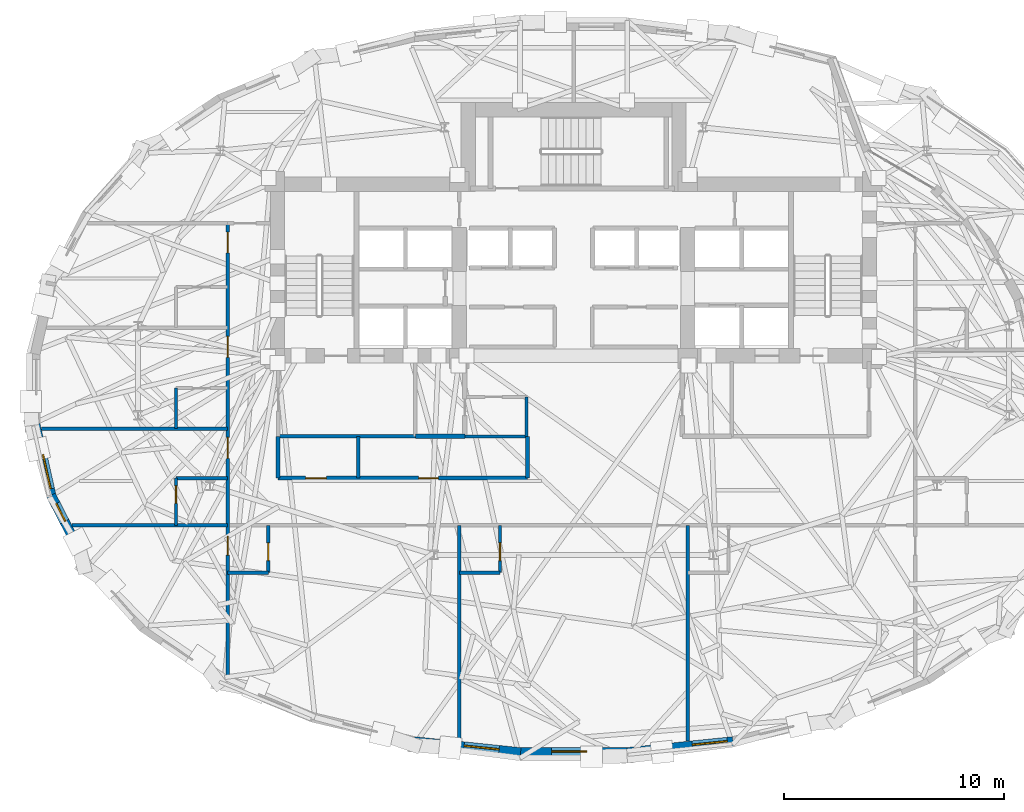
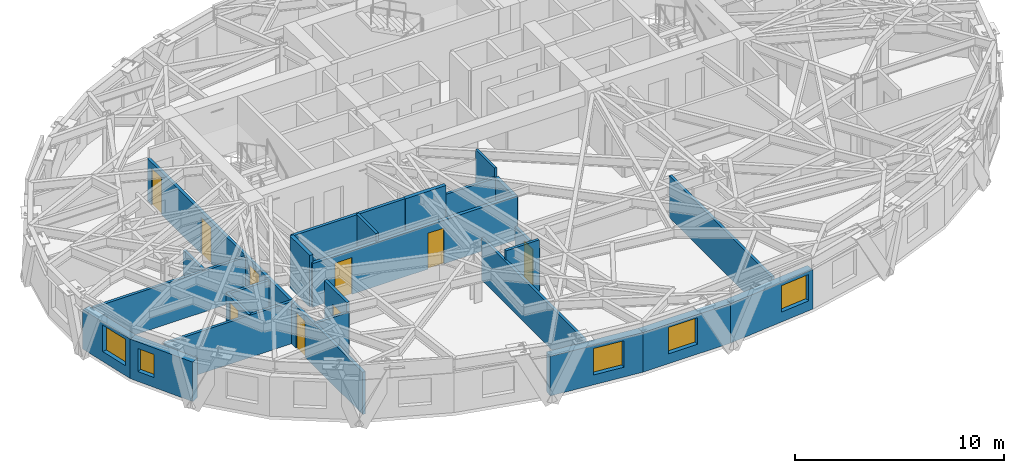
# One storey, part 7 of 15: 25 walls, 9 doors, 5 windows, 14 openings.
"""IFC4 building model written with IfcOpenShell, lengths in metres."""

from ifc_helpers import new_model, si_unit, direction, frame, frame_2d, origin, place, context, subcontext, project, spatial, rectangle, extrude, material, layer, layer_set, type_object, element, fill, save


model = new_model("IFC4")

# Units and contexts
model_context = context("Model", 3, precision=1e-05, world=origin(), true_north=direction((0.0, 1.0)))
body_context = subcontext(model_context, "Body", "Model", "MODEL_VIEW")
ifc_project = project(units=[si_unit("LENGTHUNIT", "METRE"), si_unit("AREAUNIT", "SQUARE_METRE"), si_unit("VOLUMEUNIT", "CUBIC_METRE"), si_unit("PLANEANGLEUNIT", "RADIAN"), si_unit("MASSUNIT", "GRAM", prefix="KILO")], contexts=[model_context])

# Site, building, storey
site_placement = place(None, origin())
site = spatial("IfcSite", under=ifc_project, at=site_placement, CompositionType="ELEMENT")
building_placement = place(site_placement, origin())
building = spatial("IfcBuilding", under=site, at=building_placement, Name="Keldmark Tower", CompositionType="ELEMENT")
storey_placement = place(building_placement, frame((0.0, 0.0, 156.60009765625)))
storey = spatial("IfcBuildingStorey", under=building, at=storey_placement, Name="L42", CompositionType="ELEMENT", Elevation=156.60009765625)

# Wall, openings, doors
ifc_material_1 = material(Name="Heavy Acoustic Plumbing Chase Gypsum Assembly", Category="gypsum")
ifc_layer_1 = layer(ifc_material_1, 0.18994140625)
ifc_layer_set_1 = layer_set([ifc_layer_1], Name="Heavy Acoustic Plumbing Chase Gypsum Assembly")
wall_type_1 = type_object("IfcWallType", Name="Heavy Wet Wall 190 mm", PredefinedType="PLUMBINGWALL", material=ifc_layer_set_1)
wall_1_placement = place(storey_placement, frame((-13.449951171875, -4.050048828125, 0.0), z_axis=(0.0, 0.0, 1.0), x_axis=(1.0, 0.0, 0.0)))
wall_1 = element("IfcWall", 1, at=wall_1_placement, inside=storey, type_object=wall_type_1, Name="L42 Heavy Wet Wall 190 mm SPK-W-S", PredefinedType="PLUMBINGWALL", context=body_context, shape_type="SweptSolid", body=[
    extrude(rectangle(XDim=11.349853515625, YDim=0.18994140625, at=frame_2d((5.6748046875, 0.0))), origin(), (0.0, 0.0, 1.0), 2.554931640625),
])
opening_1_placement = place(wall_1_placement, frame((1.25, 0.0, 0.0)))
opening_1 = element("IfcOpeningElement", 2, at=opening_1_placement, cuts=wall_1, Name="Opening D-AWC95", PredefinedType="OPENING", context=body_context, shape_type="SweptSolid", body=[
    extrude(rectangle(XDim=0.949951171875, YDim=2.14990234375, at=frame_2d((0.47509765625, 1.074951171875))), frame((0.0, 0.10498046875, 0.0), z_axis=(0.0, -1.0, 0.0), x_axis=(1.0, 0.0, 0.0)), (0.0, 0.0, 1.0), 0.2099609375),
])
opening_2_placement = place(wall_1_placement, frame((6.39990234375, 0.0, 0.0)))
opening_2 = element("IfcOpeningElement", 3, at=opening_2_placement, cuts=wall_1, Name="Opening D-IN090", PredefinedType="OPENING", context=body_context, shape_type="SweptSolid", body=[
    extrude(rectangle(XDim=0.89990234375, YDim=2.10009765625, at=frame_2d((0.449951171875, 1.050048828125))), frame((0.0, 0.10498046875, 0.0), z_axis=(0.0, -1.0, 0.0), x_axis=(1.0, 0.0, 0.0)), (0.0, 0.0, 1.0), 0.2099609375),
])
ifc_material_2 = material(Name="Painted Solid-Core Architectural Wood", Category="wood")
door_type_1 = type_object("IfcDoorType", Name="Accessible WC Door 950x2150", OperationType="NOTDEFINED", PredefinedType="DOOR", material=ifc_material_2)
door_1_placement = place(opening_1_placement, origin())
door_1 = element("IfcDoor", 4, at=door_1_placement, inside=storey, type_object=door_type_1, Name="L42 Accessible WC Door 950x2150 D-SPKW1-L42", OperationType="SINGLE_SWING_RIGHT", OverallHeight=2.14990234375, OverallWidth=0.949951171875, PredefinedType="DOOR", context=body_context, shape_type="SweptSolid", body=[
    extrude(rectangle(XDim=0.949951171875, YDim=2.14990234375, at=frame_2d((0.47509765625, 1.074951171875))), frame((0.0, 0.02490234375, 0.0), z_axis=(0.0, -1.0, 0.0), x_axis=(1.0, 0.0, 0.0)), (0.0, 0.0, 1.0), 0.050048828125),
])
fill(opening_1, door_1)
ifc_material_3 = material(Name="Stained American White Oak Veneer", Category="wood")
door_type_2 = type_object("IfcDoorType", Name="Interior Door 900x2100", OperationType="NOTDEFINED", PredefinedType="DOOR", material=ifc_material_3)
door_2_placement = place(opening_2_placement, origin())
door_2 = element("IfcDoor", 5, at=door_2_placement, inside=storey, type_object=door_type_2, Name="L42 Interior Door 900x2100 D-SPKW2-L42", OperationType="SINGLE_SWING_RIGHT", OverallHeight=2.10009765625, OverallWidth=0.89990234375, PredefinedType="DOOR", context=body_context, shape_type="SweptSolid", body=[
    extrude(rectangle(XDim=0.89990234375, YDim=2.10009765625, at=frame_2d((0.449951171875, 1.050048828125))), frame((0.0, 0.02490234375, 0.0), z_axis=(0.0, -1.0, 0.0), x_axis=(1.0, 0.0, 0.0)), (0.0, 0.0, 1.0), 0.050048828125),
])
fill(opening_2, door_2)

# Walls
wall_2_placement = place(storey_placement, frame((-13.449951171875, -4.050048828125, 0.0), z_axis=(0.0, 0.0, 1.0), x_axis=(0.0, 1.0, 0.0)))
element("IfcWall", 6, at=wall_2_placement, inside=storey, type_object=wall_type_1, Name="L42 Heavy Wet Wall 190 mm SPK-W-W", PredefinedType="PLUMBINGWALL", context=body_context, shape_type="SweptSolid", body=[
    extrude(rectangle(XDim=1.900146484375, YDim=0.18994140625, at=frame_2d((0.9501953125, 0.0))), origin(), (0.0, 0.0, 1.0), 3.02001953125),
])
wall_3_placement = place(storey_placement, frame((-2.10009765625, -4.050048828125, 0.0), z_axis=(0.0, 0.0, 1.0), x_axis=(0.0, 1.0, 0.0)))
element("IfcWall", 7, at=wall_3_placement, inside=storey, type_object=wall_type_1, Name="L42 Heavy Wet Wall 190 mm SPK-W-E", PredefinedType="PLUMBINGWALL", context=body_context, shape_type="SweptSolid", body=[
    extrude(rectangle(XDim=1.900146484375, YDim=0.18994140625, at=frame_2d((0.9501953125, 0.0))), origin(), (0.0, 0.0, 1.0), 2.472900390625),
])
ifc_material_4 = material(Name="Acoustic Gypsum Board Interior Partition", Category="gypsum")
ifc_layer_2 = layer(ifc_material_4, 0.1298828125)
ifc_layer_set_2 = layer_set([ifc_layer_2], Name="Acoustic Gypsum Board Interior Partition")
wall_type_2 = type_object("IfcWallType", Name="Interior Partition 130 mm", PredefinedType="PARTITIONING", material=ifc_layer_set_2)
wall_4_placement = place(storey_placement, frame((-2.14990234375, -2.14990234375, 0.0), z_axis=(0.0, 0.0, 1.0), x_axis=(0.0, 1.0, 0.0)))
element("IfcWall", 8, at=wall_4_placement, inside=storey, type_object=wall_type_2, Name="L42 Interior Partition 130 mm CSC-W-E", PredefinedType="PARTITIONING", context=body_context, shape_type="SweptSolid", body=[
    extrude(rectangle(XDim=1.7998046875, YDim=0.1298828125, at=frame_2d((0.89990234375, 0.0))), origin(), (0.0, 0.0, 1.0), 3.02001953125),
])
ifc_material_5 = material(Name="Type X Fire-Rated Gypsum Partition Assembly", Category="gypsum")
ifc_layer_3 = layer(ifc_material_5, 0.1650390625)
ifc_layer_set_3 = layer_set([ifc_layer_3], Name="Type X Fire-Rated Gypsum Partition Assembly")
wall_type_3 = type_object("IfcWallType", Name="Rated Partition 165 mm", PredefinedType="PARTITIONING", material=ifc_layer_set_3)
wall_5_placement = place(storey_placement, frame((-13.449951171875, -2.14990234375, 0.0), z_axis=(0.0, 0.0, 1.0), x_axis=(1.0, 0.0, 0.0)))
element("IfcWall", 9, at=wall_5_placement, inside=storey, type_object=wall_type_3, Name="L42 Rated Partition 165 mm FSAE-W-S", PredefinedType="PARTITIONING", context=body_context, shape_type="SweptSolid", body=[
    extrude(rectangle(XDim=6.25, YDim=0.1650390625, at=frame_2d((3.125, 0.0))), origin(), (0.0, 0.0, 1.0), 3.02001953125),
])

# Wall, openings, doors
wall_6_placement = place(storey_placement, frame((-15.75, -13.1083984375, 0.0), z_axis=(0.0, 0.0, 1.0), x_axis=(0.0, 1.0, 0.0)))
wall_6 = element("IfcWall", 10, at=wall_6_placement, inside=storey, type_object=wall_type_3, Name="L42 Rated Partition 165 mm HCOR-W", PredefinedType="PARTITIONING", context=body_context, shape_type="SweptSolid", body=[
    extrude(rectangle(XDim=20.658447265625, YDim=0.1650390625, at=frame_2d((10.3291015625, 0.0))), origin(), (0.0, 0.0, 1.0), 2.472900390625),
])
opening_3_placement = place(wall_6_placement, frame((5.558837890625, 0.0, 0.0)))
opening_3 = element("IfcOpeningElement", 11, at=opening_3_placement, cuts=wall_6, Name="Opening D-IN085", PredefinedType="OPENING", context=body_context, shape_type="SweptSolid", body=[
    extrude(rectangle(XDim=0.85009765625, YDim=2.10009765625, at=frame_2d((0.425048828125, 1.050048828125))), frame((0.0, 0.092529296875, 0.0), z_axis=(0.0, -1.0, 0.0), x_axis=(1.0, 0.0, 0.0)), (0.0, 0.0, 1.0), 0.18505859375),
])
opening_4_placement = place(wall_6_placement, frame((9.958984375, 0.0, 0.0)))
opening_4 = element("IfcOpeningElement", 12, at=opening_4_placement, cuts=wall_6, Name="Opening D-HT095", PredefinedType="OPENING", context=body_context, shape_type="SweptSolid", body=[
    extrude(rectangle(XDim=0.949951171875, YDim=2.14990234375, at=frame_2d((0.47509765625, 1.074951171875))), frame((0.0, 0.092529296875, 0.0), z_axis=(0.0, -1.0, 0.0), x_axis=(1.0, 0.0, 0.0)), (0.0, 0.0, 1.0), 0.18505859375),
])
opening_5_placement = place(wall_6_placement, frame((14.558837890625, 0.0, 0.0)))
opening_5 = element("IfcOpeningElement", 13, at=opening_5_placement, cuts=wall_6, Name="Opening D-HT095", PredefinedType="OPENING", context=body_context, shape_type="SweptSolid", body=[
    extrude(rectangle(XDim=0.949951171875, YDim=2.14990234375, at=frame_2d((0.47509765625, 1.074951171875))), frame((0.0, 0.092529296875, 0.0), z_axis=(0.0, -1.0, 0.0), x_axis=(1.0, 0.0, 0.0)), (0.0, 0.0, 1.0), 0.18505859375),
])
opening_6_placement = place(wall_6_placement, frame((19.308837890625, 0.0, 0.0)))
opening_6 = element("IfcOpeningElement", 14, at=opening_6_placement, cuts=wall_6, Name="Opening D-HT095", PredefinedType="OPENING", context=body_context, shape_type="SweptSolid", body=[
    extrude(rectangle(XDim=0.949951171875, YDim=2.14990234375, at=frame_2d((0.47509765625, 1.074951171875))), frame((0.0, 0.092529296875, 0.0), z_axis=(0.0, -1.0, 0.0), x_axis=(1.0, 0.0, 0.0)), (0.0, 0.0, 1.0), 0.18505859375),
])
ifc_material_6 = material(Name="Solid-Core Acoustic White Oak Fire-Rated Assembly", Category="wood")
door_type_3 = type_object("IfcDoorType", Name="Hotel Entry Door 950x2150", OperationType="NOTDEFINED", PredefinedType="DOOR", material=ifc_material_6)
door_3_placement = place(opening_4_placement, origin())
door_3 = element("IfcDoor", 15, at=door_3_placement, inside=storey, type_object=door_type_3, Name="L42 Hotel Entry Door 950x2150 D-HR-4-L42", OperationType="SINGLE_SWING_RIGHT", OverallHeight=2.14990234375, OverallWidth=0.949951171875, PredefinedType="DOOR", context=body_context, shape_type="SweptSolid", body=[
    extrude(rectangle(XDim=0.949951171875, YDim=2.14990234375, at=frame_2d((0.47509765625, 1.074951171875))), frame((0.0, 0.02490234375, 0.0), z_axis=(0.0, -1.0, 0.0), x_axis=(1.0, 0.0, 0.0)), (0.0, 0.0, 1.0), 0.050048828125),
])
fill(opening_4, door_3)
door_4_placement = place(opening_5_placement, origin())
door_4 = element("IfcDoor", 16, at=door_4_placement, inside=storey, type_object=door_type_3, Name="L42 Hotel Entry Door 950x2150 D-HR-5-L42", OperationType="SINGLE_SWING_RIGHT", OverallHeight=2.14990234375, OverallWidth=0.949951171875, PredefinedType="DOOR", context=body_context, shape_type="SweptSolid", body=[
    extrude(rectangle(XDim=0.949951171875, YDim=2.14990234375, at=frame_2d((0.47509765625, 1.074951171875))), frame((0.0, 0.02490234375, 0.0), z_axis=(0.0, -1.0, 0.0), x_axis=(1.0, 0.0, 0.0)), (0.0, 0.0, 1.0), 0.050048828125),
])
fill(opening_5, door_4)
door_5_placement = place(opening_6_placement, origin())
door_5 = element("IfcDoor", 17, at=door_5_placement, inside=storey, type_object=door_type_3, Name="L42 Hotel Entry Door 950x2150 D-HR-6-L42", OperationType="SINGLE_SWING_RIGHT", OverallHeight=2.14990234375, OverallWidth=0.949951171875, PredefinedType="DOOR", context=body_context, shape_type="SweptSolid", body=[
    extrude(rectangle(XDim=0.949951171875, YDim=2.14990234375, at=frame_2d((0.47509765625, 1.074951171875))), frame((0.0, 0.02490234375, 0.0), z_axis=(0.0, -1.0, 0.0), x_axis=(1.0, 0.0, 0.0)), (0.0, 0.0, 1.0), 0.050048828125),
])
fill(opening_6, door_5)
ifc_material_7 = material(Name="Painted Architectural Wood", Category="wood")
door_type_4 = type_object("IfcDoorType", Name="Interior Door 850x2100", OperationType="NOTDEFINED", PredefinedType="DOOR", material=ifc_material_7)
door_6_placement = place(opening_3_placement, origin())
door_6 = element("IfcDoor", 18, at=door_6_placement, inside=storey, type_object=door_type_4, Name="L42 Interior Door 850x2100 D-HKSW-L42", OperationType="SINGLE_SWING_LEFT", OverallHeight=2.10009765625, OverallWidth=0.85009765625, PredefinedType="DOOR", context=body_context, shape_type="SweptSolid", body=[
    extrude(rectangle(XDim=0.85009765625, YDim=2.10009765625, at=frame_2d((0.425048828125, 1.050048828125))), frame((0.0, 0.02490234375, 0.0), z_axis=(0.0, -1.0, 0.0), x_axis=(1.0, 0.0, 0.0)), (0.0, 0.0, 1.0), 0.050048828125),
])
fill(opening_3, door_6)

# Wall
ifc_material_8 = material(Name="Fire-Resistant Type X Gypsum Shaftliner Coreboard", Category="gypsum")
ifc_layer_4 = layer(ifc_material_8, 0.199951171875)
ifc_layer_set_4 = layer_set([ifc_layer_4], Name="Fire-Resistant Type X Gypsum Shaftliner Coreboard")
wall_type_4 = type_object("IfcWallType", Name="Shaft Wall 200 mm", PredefinedType="SOLIDWALL", material=ifc_layer_set_4)
wall_7_placement = place(storey_placement, frame((-7.199951171875, -2.14990234375, 0.0), z_axis=(0.0, 0.0, 1.0), x_axis=(1.0, 0.0, 0.0)))
element("IfcWall", 19, at=wall_7_placement, inside=storey, type_object=wall_type_4, Name="L42 Shaft Wall 200 mm RIS-SW-S", PredefinedType="SOLIDWALL", context=body_context, shape_type="SweptSolid", body=[
    extrude(rectangle(XDim=2.25, YDim=0.199951171875, at=frame_2d((1.125, 0.0))), origin(), (0.0, 0.0, 1.0), 3.02001953125),
])

# Wall, opening, window
ifc_material_9 = material(Name="Ironspot Manganese Brick and Kasota Buff Limestone Spandrel Assembly", Category="masonry")
ifc_layer_5 = layer(ifc_material_9, 0.43994140625)
ifc_layer_set_5 = layer_set([ifc_layer_5], Name="Ironspot Manganese Brick and Kasota Buff Limestone Spandrel Assembly")
wall_type_5 = type_object("IfcWallType", Name="Tower Brick Pier and Spandrel Wall 440 mm", PredefinedType="STANDARD", material=ifc_layer_set_5)
wall_8_placement = place(storey_placement, frame((-23.769775390625, -4.883544921875, 0.0), z_axis=(0.0, 0.0, 1.0), x_axis=(-0.219028468724, 0.97571846856, 0.0)))
wall_8 = element("IfcWall", 20, at=wall_8_placement, inside=storey, type_object=wall_type_5, Name="L42 Exterior Brick and Spandrel Wall 17", PredefinedType="STANDARD", context=body_context, shape_type="SweptSolid", body=[
    extrude(rectangle(XDim=3.36279296875, YDim=0.43994140625, at=frame_2d((1.681396484375, 0.0))), origin(), (0.0, 0.0, 1.0), 2.31494140625),
])
opening_7_placement = place(wall_8_placement, frame((0.345947265625, 0.0, 0.580078125)))
opening_7 = element("IfcOpeningElement", 21, at=opening_7_placement, cuts=wall_8, Name="Opening W-04", PredefinedType="OPENING", context=body_context, shape_type="SweptSolid", body=[
    extrude(rectangle(XDim=1.60009765625, YDim=1.550048828125, at=frame_2d((0.800048828125, 0.77490234375))), frame((0.0, 0.22998046875, 0.0), z_axis=(0.0, -1.0, 0.0), x_axis=(1.0, 0.0, 0.0)), (0.0, 0.0, 1.0), 0.4599609375),
])
ifc_material_10 = material(Name="Thermally Broken Anodized Aluminum and Triple Low-E Argon Glazing", Category="aluminium")
window_type_1 = type_object("IfcWindowType", Name="Hotel Deep-Set Operable Window 1600x1550", PartitioningType="DOUBLE_PANEL_HORIZONTAL", PredefinedType="WINDOW", material=ifc_material_10)
window_1_placement = place(opening_7_placement, origin())
window_1 = element("IfcWindow", 22, at=window_1_placement, inside=storey, type_object=window_type_1, Name="L42 Deep-Set Window 17", OverallHeight=1.550048828125, OverallWidth=1.60009765625, PartitioningType="SINGLE_PANEL", PredefinedType="WINDOW", context=body_context, shape_type="SweptSolid", body=[
    extrude(rectangle(XDim=1.60009765625, YDim=1.550048828125, at=frame_2d((0.800048828125, 0.77490234375))), frame((0.0, -0.010009765625, 0.0), z_axis=(0.0, -1.0, 0.0), x_axis=(1.0, 0.0, 0.0)), (0.0, 0.0, 1.0), 0.06005859375),
])
fill(opening_7, window_1)

wall_9_placement = place(storey_placement, frame((-22.159423828125, -7.9990234375, 0.0), z_axis=(0.0, 0.0, 1.0), x_axis=(-0.457409955052, 0.889255943483, 0.0)))
wall_9 = element("IfcWall", 23, at=wall_9_placement, inside=storey, type_object=wall_type_5, Name="L42 Exterior Brick and Spandrel Wall 18", PredefinedType="STANDARD", context=body_context, shape_type="SweptSolid", body=[
    extrude(rectangle(XDim=3.562255859375, YDim=0.43994140625, at=frame_2d((1.78125, 0.0))), origin(), (0.0, 0.0, 1.0), 2.31494140625),
])
opening_8_placement = place(wall_9_placement, frame((2.21630859375, 0.0, 0.580078125)))
opening_8 = element("IfcOpeningElement", 24, at=opening_8_placement, cuts=wall_9, Name="Opening W-09", PredefinedType="OPENING", context=body_context, shape_type="SweptSolid", body=[
    extrude(rectangle(XDim=0.89990234375, YDim=1.35009765625, at=frame_2d((0.449951171875, 0.675048828125))), frame((0.0, 0.22998046875, 0.0), z_axis=(0.0, -1.0, 0.0), x_axis=(1.0, 0.0, 0.0)), (0.0, 0.0, 1.0), 0.4599609375),
])
ifc_material_11 = material(Name="Thermally Broken Anodized Aluminum and Triple Low-E Argon Glazing", Category="aluminium")
window_type_2 = type_object("IfcWindowType", Name="Corner Pier Deep-Set Window 900x1350", PartitioningType="SINGLE_PANEL", PredefinedType="WINDOW", material=ifc_material_11)
window_2_placement = place(opening_8_placement, origin())
window_2 = element("IfcWindow", 25, at=window_2_placement, inside=storey, type_object=window_type_2, Name="L42 Deep-Set Window 18", OverallHeight=1.35009765625, OverallWidth=0.89990234375, PartitioningType="SINGLE_PANEL", PredefinedType="WINDOW", context=body_context, shape_type="SweptSolid", body=[
    extrude(rectangle(XDim=0.89990234375, YDim=1.35009765625, at=frame_2d((0.449951171875, 0.675048828125))), frame((0.0, -0.010009765625, 0.0), z_axis=(0.0, -1.0, 0.0), x_axis=(1.0, 0.0, 0.0)), (0.0, 0.0, 1.0), 0.06005859375),
])
fill(opening_8, window_2)

wall_10_placement = place(storey_placement, frame((-2.412109375, -16.53857421875, 0.0), z_axis=(0.0, 0.0, 1.0), x_axis=(-0.994718319881, 0.10264240884, 0.0)))
wall_10 = element("IfcWall", 26, at=wall_10_placement, inside=storey, type_object=wall_type_5, Name="L42 Exterior Brick and Spandrel Wall 23", PredefinedType="STANDARD", context=body_context, shape_type="SweptSolid", body=[
    extrude(rectangle(XDim=4.866455078125, YDim=0.43994140625, at=frame_2d((2.43310546875, 0.0))), origin(), (0.0, 0.0, 1.0), 2.31494140625),
])
opening_9_placement = place(wall_10_placement, frame((0.99072265625, 0.0, 0.580078125)))
opening_9 = element("IfcOpeningElement", 27, at=opening_9_placement, cuts=wall_10, Name="Opening W-04", PredefinedType="OPENING", context=body_context, shape_type="SweptSolid", body=[
    extrude(rectangle(XDim=1.60009765625, YDim=1.550048828125, at=frame_2d((0.800048828125, 0.77490234375))), frame((0.0, 0.22998046875, 0.0), z_axis=(0.0, -1.0, 0.0), x_axis=(1.0, 0.0, 0.0)), (0.0, 0.0, 1.0), 0.4599609375),
])
window_3_placement = place(opening_9_placement, origin())
window_3 = element("IfcWindow", 28, at=window_3_placement, inside=storey, type_object=window_type_1, Name="L42 Deep-Set Window 23", OverallHeight=1.550048828125, OverallWidth=1.60009765625, PartitioningType="SINGLE_PANEL", PredefinedType="WINDOW", context=body_context, shape_type="SweptSolid", body=[
    extrude(rectangle(XDim=1.60009765625, YDim=1.550048828125, at=frame_2d((0.800048828125, 0.77490234375))), frame((0.0, -0.010009765625, 0.0), z_axis=(0.0, -1.0, 0.0), x_axis=(1.0, 0.0, 0.0)), (0.0, 0.0, 1.0), 0.06005859375),
])
fill(opening_9, window_3)

wall_11_placement = place(storey_placement, frame((2.434814453125, -16.537353515625, 0.0), z_axis=(0.0, 0.0, 1.0), x_axis=(-1.0, 0.0, 0.0)))
wall_11 = element("IfcWall", 29, at=wall_11_placement, inside=storey, type_object=wall_type_5, Name="L42 Exterior Brick and Spandrel Wall 24", PredefinedType="STANDARD", context=body_context, shape_type="SweptSolid", body=[
    extrude(rectangle(XDim=4.86962890625, YDim=0.43994140625, at=frame_2d((2.434814453125, 0.0))), origin(), (0.0, 0.0, 1.0), 2.31494140625),
])
opening_10_placement = place(wall_11_placement, frame((1.832763671875, 0.0, 0.580078125)))
opening_10 = element("IfcOpeningElement", 30, at=opening_10_placement, cuts=wall_11, Name="Opening W-04", PredefinedType="OPENING", context=body_context, shape_type="SweptSolid", body=[
    extrude(rectangle(XDim=1.60009765625, YDim=1.550048828125, at=frame_2d((0.800048828125, 0.77490234375))), frame((0.0, 0.22998046875, 0.0), z_axis=(0.0, -1.0, 0.0), x_axis=(1.0, 0.0, 0.0)), (0.0, 0.0, 1.0), 0.4599609375),
])
window_4_placement = place(opening_10_placement, origin())
window_4 = element("IfcWindow", 31, at=window_4_placement, inside=storey, type_object=window_type_1, Name="L42 Deep-Set Window 24", OverallHeight=1.550048828125, OverallWidth=1.60009765625, PartitioningType="SINGLE_PANEL", PredefinedType="WINDOW", context=body_context, shape_type="SweptSolid", body=[
    extrude(rectangle(XDim=1.60009765625, YDim=1.550048828125, at=frame_2d((0.800048828125, 0.77490234375))), frame((0.0, -0.010009765625, 0.0), z_axis=(0.0, -1.0, 0.0), x_axis=(1.0, 0.0, 0.0)), (0.0, 0.0, 1.0), 0.06005859375),
])
fill(opening_10, window_4)

wall_12_placement = place(storey_placement, frame((7.2529296875, -16.0390625, 0.0), z_axis=(0.0, 0.0, 1.0), x_axis=(-0.994718319881, -0.10264240884, 0.0)))
wall_12 = element("IfcWall", 32, at=wall_12_placement, inside=storey, type_object=wall_type_5, Name="L42 Exterior Brick and Spandrel Wall 25", PredefinedType="STANDARD", context=body_context, shape_type="SweptSolid", body=[
    extrude(rectangle(XDim=4.866455078125, YDim=0.43994140625, at=frame_2d((2.43310546875, 0.0))), origin(), (0.0, 0.0, 1.0), 2.31494140625),
])
opening_11_placement = place(wall_12_placement, frame((0.24951171875, 0.0, 0.580078125)))
opening_11 = element("IfcOpeningElement", 33, at=opening_11_placement, cuts=wall_12, Name="Opening W-04", PredefinedType="OPENING", context=body_context, shape_type="SweptSolid", body=[
    extrude(rectangle(XDim=1.60009765625, YDim=1.550048828125, at=frame_2d((0.800048828125, 0.77490234375))), frame((0.0, 0.22998046875, 0.0), z_axis=(0.0, -1.0, 0.0), x_axis=(1.0, 0.0, 0.0)), (0.0, 0.0, 1.0), 0.4599609375),
])
window_5_placement = place(opening_11_placement, origin())
window_5 = element("IfcWindow", 34, at=window_5_placement, inside=storey, type_object=window_type_1, Name="L42 Deep-Set Window 25", OverallHeight=1.550048828125, OverallWidth=1.60009765625, PartitioningType="SINGLE_PANEL", PredefinedType="WINDOW", context=body_context, shape_type="SweptSolid", body=[
    extrude(rectangle(XDim=1.60009765625, YDim=1.550048828125, at=frame_2d((0.800048828125, 0.77490234375))), frame((0.0, -0.010009765625, 0.0), z_axis=(0.0, -1.0, 0.0), x_axis=(1.0, 0.0, 0.0)), (0.0, 0.0, 1.0), 0.06005859375),
])
fill(opening_11, window_5)

# Walls
ifc_material_12 = material(Name="Moisture-Resistant Gypsum Plumbing Partition", Category="gypsum")
ifc_layer_6 = layer(ifc_material_12, 0.14990234375)
ifc_layer_set_6 = layer_set([ifc_layer_6], Name="Moisture-Resistant Gypsum Plumbing Partition")
wall_type_6 = type_object("IfcWallType", Name="Wet Wall 150 mm", PredefinedType="PLUMBINGWALL", material=ifc_layer_set_6)
wall_13_placement = place(storey_placement, frame((-4.949951171875, -2.14990234375, 0.0), z_axis=(0.0, 0.0, 1.0), x_axis=(1.0, 0.0, 0.0)))
element("IfcWall", 35, at=wall_13_placement, inside=storey, type_object=wall_type_6, Name="L42 Wet Wall 150 mm SPK-W-N", PredefinedType="PLUMBINGWALL", context=body_context, shape_type="SweptSolid", body=[
    extrude(rectangle(XDim=2.849853515625, YDim=0.14990234375, at=frame_2d((1.4248046875, 0.0))), origin(), (0.0, 0.0, 1.0), 2.472900390625),
])
wall_14_placement = place(storey_placement, frame((-9.800048828125, -4.050048828125, 0.0), z_axis=(0.0, 0.0, 1.0), x_axis=(0.0, 1.0, 0.0)))
element("IfcWall", 36, at=wall_14_placement, inside=storey, type_object=wall_type_6, Name="L42 Wet Wall 150 mm SPK-W-D1", PredefinedType="PLUMBINGWALL", context=body_context, shape_type="SweptSolid", body=[
    extrude(rectangle(XDim=1.900146484375, YDim=0.14990234375, at=frame_2d((0.9501953125, 0.0))), origin(), (0.0, 0.0, 1.0), 3.02001953125),
])
wall_15_placement = place(storey_placement, frame((-22.828369140625, -6.199951171875, 0.0), z_axis=(0.0, 0.0, 1.0), x_axis=(1.0, 0.0, 0.0)))
element("IfcWall", 37, at=wall_15_placement, inside=storey, type_object=wall_type_6, Name="L42 Wet Wall 150 mm HW-CAP-S", PredefinedType="PLUMBINGWALL", context=body_context, shape_type="SweptSolid", body=[
    extrude(rectangle(XDim=7.078369140625, YDim=0.14990234375, at=frame_2d((3.5390625, 0.0))), origin(), (0.0, 0.0, 1.0), 2.472900390625),
])
for number, where, z_axis, x_axis, name in (
    (38, (-5.199951171875, -16.021728515625, 0.0), (0.0, 0.0, 1.0), (0.0, 1.0, 0.0), "L42 Wet Wall 150 mm HS-DIV-1"),
    (39, (5.199951171875, -16.021728515625, 0.0), (0.0, 0.0, 1.0), (0.0, 1.0, 0.0), "L42 Wet Wall 150 mm HS-DIV-2"),
):
    element("IfcWall", number, at=place(storey_placement, frame(where, z_axis=z_axis, x_axis=x_axis)), inside=storey, type_object=wall_type_6, Name=name, PredefinedType="PLUMBINGWALL", context=body_context, shape_type="SweptSolid", body=[
        extrude(rectangle(XDim=9.82177734375, YDim=0.14990234375, at=frame_2d((4.910888671875, 0.0))), origin(), (0.0, 0.0, 1.0), 2.472900390625),
    ])

# Wall, opening, door
wall_16_placement = place(storey_placement, frame((-13.89990234375, -8.35009765625, 0.0), z_axis=(0.0, 0.0, 1.0), x_axis=(0.0, 1.0, 0.0)))
wall_16 = element("IfcWall", 40, at=wall_16_placement, inside=storey, type_object=wall_type_6, Name="L42 Wet Wall 150 mm HB-S1-E", PredefinedType="PLUMBINGWALL", context=body_context, shape_type="SweptSolid", body=[
    extrude(rectangle(XDim=2.150146484375, YDim=0.14990234375, at=frame_2d((1.0751953125, 0.0))), origin(), (0.0, 0.0, 1.0), 3.02001953125),
])
opening_12_placement = place(wall_16_placement, frame((0.550048828125, 0.0, 0.0)))
opening_12 = element("IfcOpeningElement", 41, at=opening_12_placement, cuts=wall_16, Name="Opening D-BT080", PredefinedType="OPENING", context=body_context, shape_type="SweptSolid", body=[
    extrude(rectangle(XDim=0.800048828125, YDim=2.10009765625, at=frame_2d((0.39990234375, 1.050048828125))), frame((0.0, 0.0849609375, 0.0), z_axis=(0.0, -1.0, 0.0), x_axis=(1.0, 0.0, 0.0)), (0.0, 0.0, 1.0), 0.169921875),
])
ifc_material_13 = material(Name="Moisture-Sealed Stained Wood", Category="wood")
door_type_5 = type_object("IfcDoorType", Name="Bathroom Door 800x2100", OperationType="NOTDEFINED", PredefinedType="DOOR", material=ifc_material_13)
door_7_placement = place(opening_12_placement, origin())
door_7 = element("IfcDoor", 42, at=door_7_placement, inside=storey, type_object=door_type_5, Name="L42 Bathroom Door 800x2100 D-HBS1-L42", OperationType="SINGLE_SWING_RIGHT", OverallHeight=2.10009765625, OverallWidth=0.800048828125, PredefinedType="DOOR", context=body_context, shape_type="SweptSolid", body=[
    extrude(rectangle(XDim=0.800048828125, YDim=2.10009765625, at=frame_2d((0.39990234375, 1.050048828125))), frame((0.0, 0.02490234375, 0.0), z_axis=(0.0, -1.0, 0.0), x_axis=(1.0, 0.0, 0.0)), (0.0, 0.0, 1.0), 0.050048828125),
])
fill(opening_12, door_7)

# Wall
wall_17_placement = place(storey_placement, frame((-15.75, -8.35009765625, 0.0), z_axis=(0.0, 0.0, 1.0), x_axis=(1.0, 0.0, 0.0)))
element("IfcWall", 43, at=wall_17_placement, inside=storey, type_object=wall_type_6, Name="L42 Wet Wall 150 mm HB-S1-S", PredefinedType="PLUMBINGWALL", context=body_context, shape_type="SweptSolid", body=[
    extrude(rectangle(XDim=1.85009765625, YDim=0.14990234375, at=frame_2d((0.925048828125, 0.0))), origin(), (0.0, 0.0, 1.0), 2.472900390625),
])

# Wall, opening, door
wall_18_placement = place(storey_placement, frame((-3.35009765625, -8.35009765625, 0.0), z_axis=(0.0, 0.0, 1.0), x_axis=(0.0, 1.0, 0.0)))
wall_18 = element("IfcWall", 44, at=wall_18_placement, inside=storey, type_object=wall_type_6, Name="L42 Wet Wall 150 mm HB-S2-E", PredefinedType="PLUMBINGWALL", context=body_context, shape_type="SweptSolid", body=[
    extrude(rectangle(XDim=2.150146484375, YDim=0.14990234375, at=frame_2d((1.0751953125, 0.0))), origin(), (0.0, 0.0, 1.0), 2.472900390625),
])
opening_13_placement = place(wall_18_placement, frame((0.550048828125, 0.0, 0.0)))
opening_13 = element("IfcOpeningElement", 45, at=opening_13_placement, cuts=wall_18, Name="Opening D-BT080", PredefinedType="OPENING", context=body_context, shape_type="SweptSolid", body=[
    extrude(rectangle(XDim=0.800048828125, YDim=2.10009765625, at=frame_2d((0.39990234375, 1.050048828125))), frame((0.0, 0.0849609375, 0.0), z_axis=(0.0, -1.0, 0.0), x_axis=(1.0, 0.0, 0.0)), (0.0, 0.0, 1.0), 0.169921875),
])
door_8_placement = place(opening_13_placement, origin())
door_8 = element("IfcDoor", 46, at=door_8_placement, inside=storey, type_object=door_type_5, Name="L42 Bathroom Door 800x2100 D-HBS2-L42", OperationType="SINGLE_SWING_RIGHT", OverallHeight=2.10009765625, OverallWidth=0.800048828125, PredefinedType="DOOR", context=body_context, shape_type="SweptSolid", body=[
    extrude(rectangle(XDim=0.800048828125, YDim=2.10009765625, at=frame_2d((0.39990234375, 1.050048828125))), frame((0.0, 0.02490234375, 0.0), z_axis=(0.0, -1.0, 0.0), x_axis=(1.0, 0.0, 0.0)), (0.0, 0.0, 1.0), 0.050048828125),
])
fill(opening_13, door_8)

# Walls
wall_19_placement = place(storey_placement, frame((-5.199951171875, -8.35009765625, 0.0), z_axis=(0.0, 0.0, 1.0), x_axis=(1.0, 0.0, 0.0)))
element("IfcWall", 47, at=wall_19_placement, inside=storey, type_object=wall_type_6, Name="L42 Wet Wall 150 mm HB-S2-S", PredefinedType="PLUMBINGWALL", context=body_context, shape_type="SweptSolid", body=[
    extrude(rectangle(XDim=1.849853515625, YDim=0.14990234375, at=frame_2d((0.9248046875, 0.0))), origin(), (0.0, 0.0, 1.0), 3.02001953125),
])
wall_20_placement = place(storey_placement, frame((-24.228271484375, -1.800048828125, 0.0), z_axis=(0.0, 0.0, 1.0), x_axis=(1.0, 0.0, 0.0)))
element("IfcWall", 48, at=wall_20_placement, inside=storey, type_object=wall_type_6, Name="L42 Wet Wall 150 mm HW-DIV-1", PredefinedType="PLUMBINGWALL", context=body_context, shape_type="SweptSolid", body=[
    extrude(rectangle(XDim=8.478271484375, YDim=0.14990234375, at=frame_2d((4.2392578125, 0.0))), origin(), (0.0, 0.0, 1.0), 2.39794921875),
])
wall_21_placement = place(storey_placement, frame((-18.10009765625, -4.050048828125, 0.0), z_axis=(0.0, 0.0, 1.0), x_axis=(1.0, 0.0, 0.0)))
element("IfcWall", 49, at=wall_21_placement, inside=storey, type_object=wall_type_6, Name="L42 Wet Wall 150 mm HB-4-N", PredefinedType="PLUMBINGWALL", context=body_context, shape_type="SweptSolid", body=[
    extrude(rectangle(XDim=2.35009765625, YDim=0.14990234375, at=frame_2d((1.175048828125, 0.0))), origin(), (0.0, 0.0, 1.0), 2.39794921875),
])

# Wall, opening, door
wall_22_placement = place(storey_placement, frame((-18.10009765625, -6.199951171875, 0.0), z_axis=(0.0, 0.0, 1.0), x_axis=(0.0, 1.0, 0.0)))
wall_22 = element("IfcWall", 50, at=wall_22_placement, inside=storey, type_object=wall_type_6, Name="L42 Wet Wall 150 mm HB-4-IN", PredefinedType="PLUMBINGWALL", context=body_context, shape_type="SweptSolid", body=[
    extrude(rectangle(XDim=2.14990234375, YDim=0.14990234375, at=frame_2d((1.074951171875, 0.0))), origin(), (0.0, 0.0, 1.0), 2.472900390625),
])
opening_14_placement = place(wall_22_placement, frame((1.0, 0.0, 0.0)))
opening_14 = element("IfcOpeningElement", 51, at=opening_14_placement, cuts=wall_22, Name="Opening D-BT080", PredefinedType="OPENING", context=body_context, shape_type="SweptSolid", body=[
    extrude(rectangle(XDim=0.800048828125, YDim=2.10009765625, at=frame_2d((0.39990234375, 1.050048828125))), frame((0.0, 0.0849609375, 0.0), z_axis=(0.0, -1.0, 0.0), x_axis=(1.0, 0.0, 0.0)), (0.0, 0.0, 1.0), 0.169921875),
])
door_9_placement = place(opening_14_placement, origin())
door_9 = element("IfcDoor", 52, at=door_9_placement, inside=storey, type_object=door_type_5, Name="L42 Bathroom Door 800x2100 D-HB-4-L42", OperationType="SINGLE_SWING_LEFT", OverallHeight=2.10009765625, OverallWidth=0.800048828125, PredefinedType="DOOR", context=body_context, shape_type="SweptSolid", body=[
    extrude(rectangle(XDim=0.800048828125, YDim=2.10009765625, at=frame_2d((0.39990234375, 1.050048828125))), frame((0.0, 0.02490234375, 0.0), z_axis=(0.0, -1.0, 0.0), x_axis=(1.0, 0.0, 0.0)), (0.0, 0.0, 1.0), 0.050048828125),
])
fill(opening_14, door_9)

# Wall
wall_23_placement = place(storey_placement, frame((-18.10009765625, -1.800048828125, 0.0), z_axis=(0.0, 0.0, 1.0), x_axis=(0.0, 1.0, 0.0)))
element("IfcWall", 53, at=wall_23_placement, inside=storey, type_object=wall_type_6, Name="L42 Wet Wall 150 mm HB-5-IN", PredefinedType="PLUMBINGWALL", context=body_context, shape_type="SweptSolid", body=[
    extrude(rectangle(XDim=1.85009765625, YDim=0.14990234375, at=frame_2d((0.925048828125, 0.0))), origin(), (0.0, 0.0, 1.0), 2.472900390625),
])

save(model, "model.ifc")
